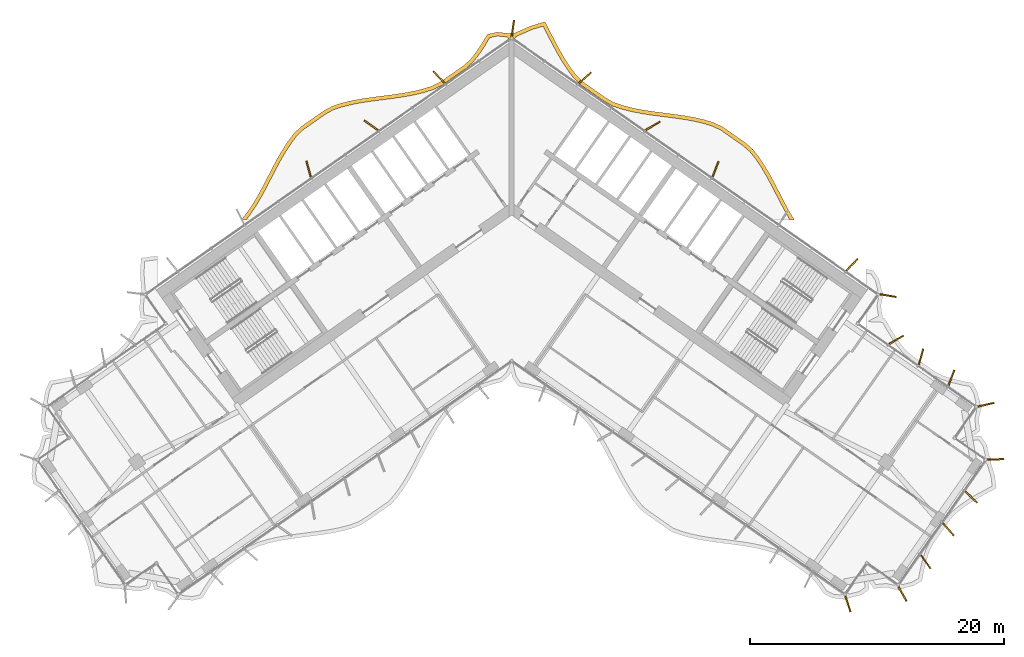
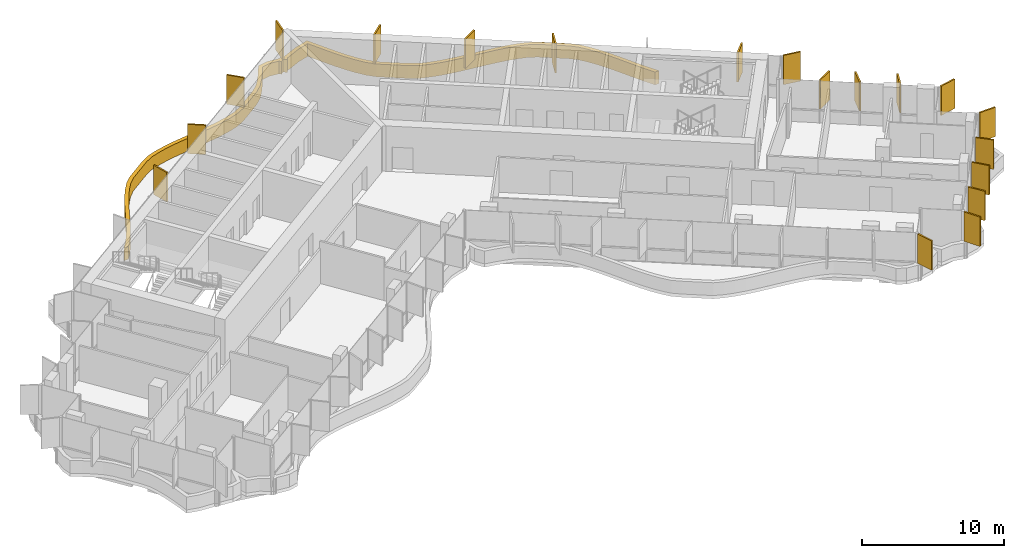
# One storey, part 23 of 23: 20 shading devices.
"""IFC4 building model written with IfcOpenShell, lengths in metres."""

from ifc_helpers import new_model, si_unit, direction, frame, origin, origin_2d, place, context, subcontext, project, spatial, polyline, rectangle, outline, extrude, material, layer, layer_set, type_object, element, save


model = new_model("IFC4")

# Units and contexts
model_context = context("Model", 3, precision=1e-05, world=origin(), true_north=direction((0.0, 1.0)))
body_context = subcontext(model_context, "Body", "Model", "MODEL_VIEW")
ifc_project = project(units=[si_unit("LENGTHUNIT", "METRE"), si_unit("AREAUNIT", "SQUARE_METRE"), si_unit("VOLUMEUNIT", "CUBIC_METRE"), si_unit("PLANEANGLEUNIT", "RADIAN"), si_unit("MASSUNIT", "GRAM", prefix="KILO")], contexts=[model_context])

# Site, building, storey
site_placement = place(None, origin())
site = spatial("IfcSite", under=ifc_project, at=site_placement, CompositionType="ELEMENT")
building_placement = place(site_placement, origin())
building = spatial("IfcBuilding", under=site, at=building_placement, Name="Tel Ilan Convention Tower", CompositionType="ELEMENT")
storey_placement = place(building_placement, frame((0.0, 0.0, 174.89990234375)))
storey = spatial("IfcBuildingStorey", under=building, at=storey_placement, Name="L40", CompositionType="ELEMENT", Elevation=174.89990234375)

# Shading devices
ifc_material_1 = material(Name="Aluminium, bronze anodised", Category="aluminium")
ifc_layer_1 = layer(ifc_material_1, 0.1201171875)
ifc_layer_set_1 = layer_set([ifc_layer_1], Name="FIN BRONZE 1300x120")
shading_device_type_1 = type_object("IfcShadingDeviceType", Name="FIN BRONZE 1300x120", PredefinedType="USERDEFINED", material=ifc_layer_set_1)
for number, where, z_axis, x_axis, name in (
    (1, (29.619140625, -7.562255859375, 1.10009765625), (0.0, 0.0, 1.0), (0.986445172547, -0.16409119891, 0.0), "FIN"),
    (2, (26.77685546875, -5.13623046875, 1.10009765625), (0.0, 0.0, 1.0), (0.686241637865, 0.727373641577, 0.0), "FIN"),
    (3, (16.037841796875, 2.375732421875, 1.10009765625), (0.0, 0.0, 1.0), (0.360177724803, 0.932883704733, 0.0), "FIN"),
    (4, (11.107666015625, 5.7900390625, 1.10009765625), (0.0, 0.0, 1.0), (0.866025403784, 0.5, 0.0), "FIN"),
    (5, (5.762939453125, 9.570068359375, 1.10009765625), (0.0, 0.0, 1.0), (0.753435896329, 0.657521368568, 0.0), "FIN"),
    (6, (0.09423828125, 13.469482421875, 1.10009765625), (0.0, 0.0, 1.0), (0.144931859301, 0.989441638582, 0.0), "FIN"),
    (7, (-5.716064453125, 9.61083984375, 1.10009765625), (0.0, 0.0, 1.0), (-0.686241637865, 0.727373641577, 0.0), "FIN"),
    (8, (-11.070556640625, 5.838623046875, 1.10009765625), (0.0, 0.0, 1.0), (-0.813552070258, 0.581492071294, 0.0), "FIN"),
    (9, (-15.981201171875, 2.39990234375, 1.10009765625), (0.0, 0.0, 1.0), (-0.268172612768, 0.963370878614, 0.0), "FIN"),
    (10, (26.4580078125, -31.8251953125, 1.10009765625), (0.0, 0.0, 1.0), (0.314544756146, -0.949242643575, 0.0), "FIN"),
    (11, (30.753173828125, -31.048583984375, 1.10009765625), (0.0, 0.0, 1.0), (0.491579408049, -0.870832754082, 0.0), "FIN"),
    (12, (32.573486328125, -28.5048828125, 1.10009765625), (0.0, 0.0, 1.0), (0.581492071294, -0.813552070258, 0.0), "FIN"),
    (13, (34.367919921875, -25.964111328125, 1.10009765625), (0.0, 0.0, 1.0), (0.657521368568, -0.753435896329, 0.0), "FIN"),
    (14, (36.157958984375, -23.418701171875, 1.10009765625), (0.0, 0.0, 1.0), (0.727373641577, -0.686241637865, 0.0), "FIN"),
    (15, (38.085693359375, -20.44921875, 1.10009765625), (0.0, 0.0, 1.0), (0.999576950082, 0.029084718749, 0.0), "FIN"),
    (16, (37.327392578125, -16.147216796875, 1.10009765625), (0.0, 0.0, 1.0), (0.975235208752, 0.221170268371, 0.0), "FIN"),
    (17, (34.5986328125, -14.0390625, 1.10009765625), (0.0, 0.0, 1.0), (0.360177724803, 0.932883704733, 0.0), "FIN"),
    (18, (32.20751953125, -12.3798828125, 1.10009765625), (0.0, 0.0, 1.0), (0.268172612768, 0.963370878614, 0.0), "FIN"),
    (19, (30.2646484375, -11.0419921875, 1.10009765625), (0.0, 0.0, 1.0), (0.866025403784, 0.5, 0.0), "FIN"),
):
    element("IfcShadingDevice", number, at=place(storey_placement, frame(where, z_axis=z_axis, x_axis=x_axis)), inside=storey, type_object=shading_device_type_1, Name=name, ObjectType="FIN", PredefinedType="USERDEFINED", context=body_context, shape_type="SweptSolid", body=[
        extrude(rectangle(XDim=1.300048828125, YDim=0.1201171875, at=origin_2d()), origin(), (0.0, 0.0, 1.0), 2.52001953125),
    ])
ifc_material_2 = material(Name="Aluminium, bronze anodised", Category="aluminium")
ifc_layer_2 = layer(ifc_material_2, 0.300048828125)
ifc_layer_set_2 = layer_set([ifc_layer_2], Name="LOUVRE BAND 300x1100")
shading_device_type_2 = type_object("IfcShadingDeviceType", Name="LOUVRE BAND 300x1100", PredefinedType="USERDEFINED", material=ifc_layer_set_2)
shading_device_placement = place(storey_placement, origin())
element("IfcShadingDevice", 20, at=shading_device_placement, inside=storey, type_object=shading_device_type_2, Name="LOUVRE BAND 31.02", ObjectType="LOUVRE", PredefinedType="USERDEFINED", context=body_context, shape_type="SweptSolid", body=[
    extrude(outline(polyline([(-20.849609375, -1.0634765625), (-21.30126953125, -1.631591796875), (-20.91796875, -1.631591796875), (-20.607666015625, -1.2412109375), (-20.154052734375, -0.572265625), (-19.73291015625, 0.13330078125), (-19.335205078125, 0.86328125), (-18.57080078125, 2.342041015625), (-18.1845703125, 3.06298828125), (-17.78369140625, 3.75341796875), (-17.359619140625, 4.40185546875), (-16.911376953125, 4.99072265625), (-16.409912109375, 5.478515625), (-14.633056640625, 6.722412109375), (-14.02197265625, 7.05712890625), (-13.32763671875, 7.284912109375), (-12.58056640625, 7.4697265625), (-11.800048828125, 7.61669921875), (-10.994384765625, 7.73681640625), (-9.345458984375, 7.94873046875), (-8.521484375, 8.068603515625), (-7.710693359375, 8.216064453125), (-6.921875, 8.404296875), (-6.152587890625, 8.64794921875), (-5.447509765625, 9.00390625), (-3.604248046875, 10.29443359375), (-3.021484375, 10.82373046875), (-2.525634765625, 11.46142578125), (-2.076904296875, 12.135498046875), (-1.727783203125, 12.727294921875), (-1.12451171875, 12.861572265625), (-0.33935546875, 12.77978515625), (-0.24609375, 12.646728515625), (0.0, 12.818115234375), (0.24609375, 12.646728515625), (0.3701171875, 12.82373046875), (1.583984375, 13.365234375), (2.46484375, 13.628173828125), (3.115478515625, 12.37158203125), (3.5078125, 11.636474609375), (3.92041015625, 10.921630859375), (4.362548828125, 10.239501953125), (4.84716796875, 9.595947265625), (5.407958984375, 9.031494140625), (7.251220703125, 7.74072265625), (7.93212890625, 7.353759765625), (8.69921875, 7.09716796875), (9.48291015625, 6.89990234375), (10.2900390625, 6.745361328125), (11.112060546875, 6.621337890625), (12.762939453125, 6.408935546875), (13.572509765625, 6.29248046875), (14.3583984375, 6.15185546875), (15.11279296875, 5.97509765625), (15.819580078125, 5.75537109375), (16.44921875, 5.450927734375), (18.22607421875, 4.206787109375), (18.74951171875, 3.746826171875), (19.200927734375, 3.172607421875), (19.63037109375, 2.533447265625), (20.03515625, 1.850341796875), (20.423583984375, 1.13427734375), (21.186767578125, -0.3427734375), (21.5810546875, -1.075927734375), (21.906005859375, -1.631591796875), (22.25341796875, -1.631591796875), (21.8427734375, -0.928955078125), (21.4521484375, -0.202880859375), (20.688720703125, 1.27490234375), (20.296142578125, 1.998291015625), (19.884033203125, 2.69384765625), (19.44384765625, 3.34912109375), (18.96826171875, 3.9541015625), (18.41162109375, 4.443115234375), (16.6015625, 5.71044921875), (15.929931640625, 6.03515625), (15.191650390625, 6.2646484375), (14.419189453125, 6.44580078125), (13.6201171875, 6.588623046875), (12.80322265625, 6.7060546875), (11.15380859375, 6.91845703125), (10.340576171875, 7.041259765625), (9.547607421875, 7.19287109375), (8.783447265625, 7.385498046875), (8.054931640625, 7.62890625), (7.411865234375, 7.99462890625), (5.601806640625, 9.261962890625), (5.074462890625, 9.792724609375), (4.608642578125, 10.41162109375), (4.17626953125, 11.078369140625), (3.770263671875, 11.7822265625), (3.38134765625, 12.510986328125), (2.6162109375, 13.986328125), (1.4794921875, 13.647216796875), (0.168701171875, 13.059326171875), (0.11474609375, 13.09521484375), (0.0, 13.1181640625), (-0.11474609375, 13.09521484375), (-0.168701171875, 13.059326171875), (-1.14208984375, 13.1650390625), (-1.919921875, 12.991943359375), (-2.3310546875, 12.294921875), (-2.769287109375, 11.63671875), (-3.242431640625, 11.0283203125), (-3.7919921875, 10.529296875), (-5.601806640625, 9.261962890625), (-6.26611328125, 8.926513671875), (-7.002197265625, 8.693603515625), (-7.7724609375, 8.509765625), (-8.570068359375, 8.36474609375), (-9.385986328125, 8.24609375), (-11.03564453125, 8.033935546875), (-11.849853515625, 7.91259765625), (-12.644287109375, 7.76318359375), (-13.41064453125, 7.573486328125), (-14.141845703125, 7.33349609375), (-14.791748046875, 6.977783203125), (-16.6015625, 5.71044921875), (-17.136474609375, 5.1904296875), (-17.604736328125, 4.574951171875), (-18.0390625, 3.9111328125), (-18.44677734375, 3.209228515625), (-18.83642578125, 2.481689453125), (-19.60009765625, 1.004150390625), (-19.993408203125, 0.281982421875), (-20.4072265625, -0.4111328125), (-20.849609375, -1.0634765625)])), origin(), (0.0, 0.0, 1.0), 1.10009765625),
])

save(model, "model.ifc")
